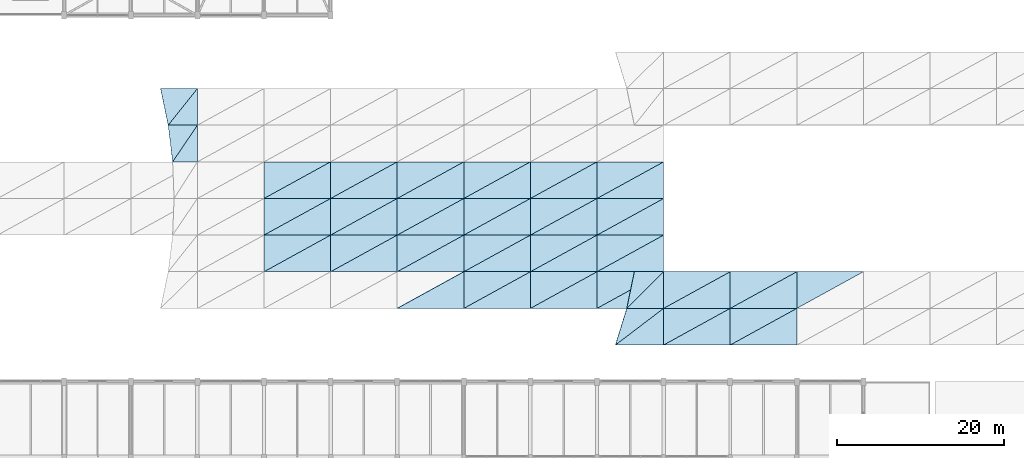
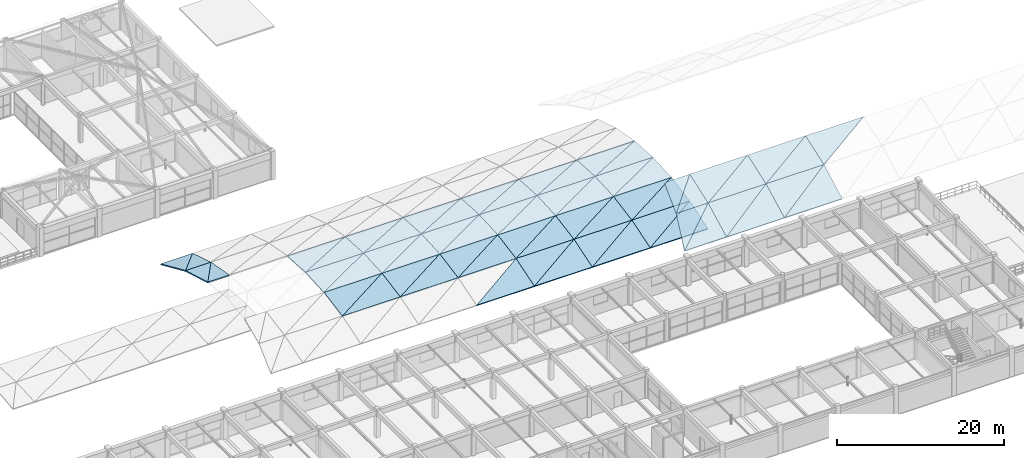
# One storey, part 50 of 63: 60 roofs.
"""IFC4 building model written with IfcOpenShell, lengths in metres."""

from ifc_helpers import new_model, si_unit, direction, frame, origin, place, context, subcontext, project, spatial, polyline, outline, extrude, material, layer, layer_set, type_object, element, save


model = new_model("IFC4")

# Units and contexts
model_context = context("Model", 3, precision=1e-05, world=origin(), true_north=direction((0.0, 1.0)))
body_context = subcontext(model_context, "Body", "Model", "MODEL_VIEW")
ifc_project = project(units=[si_unit("LENGTHUNIT", "METRE"), si_unit("AREAUNIT", "SQUARE_METRE"), si_unit("VOLUMEUNIT", "CUBIC_METRE"), si_unit("PLANEANGLEUNIT", "RADIAN"), si_unit("MASSUNIT", "GRAM", prefix="KILO")], contexts=[model_context])

# Site, building, storey
site_placement = place(None, origin())
site = spatial("IfcSite", under=ifc_project, at=site_placement, CompositionType="ELEMENT")
building_placement = place(site_placement, origin())
building = spatial("IfcBuilding", under=site, at=building_placement, Name="Varnabhumi Central Station", CompositionType="ELEMENT")
storey_placement = place(building_placement, frame((0.0, 0.0, 20.39990234375)))
storey = spatial("IfcBuildingStorey", under=building, at=storey_placement, Name="L04", CompositionType="ELEMENT", Elevation=20.39990234375)

# Roofs
ifc_material = material(Name="Champagne bronze diamond metal panel")
ifc_layer = layer(ifc_material, 0.159912109375, Name="Champagne bronze diamond metal panel")
ifc_layer_set = layer_set([ifc_layer], Name="Champagne bronze diamond metal panel")
roof_type = type_object("IfcRoofType", Name="ROOF-VAULT-BARREL", PredefinedType="BARREL_ROOF", material=ifc_layer_set)
roof_1_placement = place(storey_placement, frame((77.0244140625, 62.39990234375, 2.1123046875), z_axis=(0.0, 0.17878455364, 0.983888247404), x_axis=(1.0, 0.0, 0.0)))
element("IfcRoof", 1, at=roof_1_placement, inside=storey, type_object=roof_type, Name="Departure Concourse Vault Diamond Shell Panel 1-7A", PredefinedType="BARREL_ROOF", context=body_context, shape_type="SweptSolid", body=[
    extrude(outline(polyline([(0.0, 0.0), (2.9755859375, 0.0), (2.9755859375, 4.472201488313862), (0.0, 0.0)])), origin(), (0.0, 0.0, -1.0), 0.159912109375),
])
roof_2_placement = place(storey_placement, frame((77.0244140625, 62.39990234375, 2.1123046875), z_axis=(0.0, 0.17878455364, 0.983888247404), x_axis=(0.553941920403, 0.819141387547, -0.148848029974)))
element("IfcRoof", 2, at=roof_2_placement, inside=storey, type_object=roof_type, Name="Departure Concourse Vault Diamond Shell Panel 1-7B", PredefinedType="BARREL_ROOF", context=body_context, shape_type="SweptSolid", body=[
    extrude(outline(polyline([(0.0, 0.0), (5.371656897412983, 1.5265566588595902e-16), (3.4281267855686783, 2.921057714796014), (0.0, 0.0)])), origin(), (0.0, 0.0, -1.0), 0.159912109375),
])
roof_3_placement = place(storey_placement, frame((76.491455078125, 66.800048828125, 1.31787109375), z_axis=(0.0, 0.297557021259, 0.954704047912), x_axis=(1.0, 0.0, 0.0)))
element("IfcRoof", 3, at=roof_3_placement, inside=storey, type_object=roof_type, Name="Departure Concourse Vault Diamond Shell Panel 1-8A", PredefinedType="BARREL_ROOF", context=body_context, shape_type="SweptSolid", body=[
    extrude(outline(polyline([(0.0, 0.0), (3.508544921875, 0.0), (3.508544921875, 4.608655795869395), (0.0, 0.0)])), origin(), (0.0, 0.0, -1.0), 0.159912109375),
])
roof_4_placement = place(storey_placement, frame((76.491455078125, 66.800048828125, 1.31787109375), z_axis=(0.0, 0.297557021259, 0.954704047912), x_axis=(0.605736014666, 0.759625249204, -0.236755910819)))
element("IfcRoof", 4, at=roof_4_placement, inside=storey, type_object=roof_type, Name="Departure Concourse Vault Diamond Shell Panel 1-8B", PredefinedType="BARREL_ROOF", context=body_context, shape_type="SweptSolid", body=[
    extrude(outline(polyline([(0.0, 0.0), (5.792201283934754, -2.220446049250313e-16), (3.1132686897750994, 3.518916958948145), (0.0, 0.0)])), origin(), (0.0, 0.0, -1.0), 0.159912109375),
])
roof_5_placement = place(storey_placement, frame((88.0, 49.199951171875, 1.312744140625), z_axis=(0.0, -0.17878455364, 0.983888247404), x_axis=(1.0, 0.0, 0.0)))
element("IfcRoof", 5, at=roof_5_placement, inside=storey, type_object=roof_type, Name="Departure Concourse Vault Diamond Shell Panel 3-4A", PredefinedType="BARREL_ROOF", context=body_context, shape_type="SweptSolid", body=[
    extrude(outline(polyline([(0.0, 0.0), (8.0, 0.0), (8.0, 4.472201488313862), (0.0, 0.0)])), origin(), (0.0, 0.0, -1.0), 0.159912109375),
])
roof_6_placement = place(storey_placement, frame((88.0, 49.199951171875, 1.312744140625), z_axis=(0.0, -0.17878455364, 0.983888247404), x_axis=(0.872868515511, 0.480093666231, 0.087238903451)))
element("IfcRoof", 6, at=roof_6_placement, inside=storey, type_object=roof_type, Name="Departure Concourse Vault Diamond Shell Panel 3-4B", PredefinedType="BARREL_ROOF", context=body_context, shape_type="SweptSolid", body=[
    extrude(outline(polyline([(0.0, 0.0), (9.165183367073281, -1.3877787807814457e-17), (2.1822352429882166, 3.9036438741689645), (0.0, 0.0)])), origin(), (0.0, 0.0, -1.0), 0.159912109375),
])
roof_7_placement = place(storey_placement, frame((88.0, 53.60009765625, 2.110107421875), z_axis=(0.0, -0.059709058743, 0.998215822507), x_axis=(1.0, 0.0, 0.0)))
element("IfcRoof", 7, at=roof_7_placement, inside=storey, type_object=roof_type, Name="Departure Concourse Vault Diamond Shell Panel 3-5A", PredefinedType="BARREL_ROOF", context=body_context, shape_type="SweptSolid", body=[
    extrude(outline(polyline([(0.0, 0.0), (8.0, 0.0), (8.0, 4.407766581677835), (0.0, 0.0)])), origin(), (0.0, 0.0, -1.0), 0.159912109375),
])
roof_8_placement = place(storey_placement, frame((88.0, 53.60009765625, 2.110107421875), z_axis=(0.0, -0.059709058743, 0.998215822507), x_axis=(0.875856613032, 0.481710445558, 0.028813886378)))
element("IfcRoof", 8, at=roof_8_placement, inside=storey, type_object=roof_type, Name="Departure Concourse Vault Diamond Shell Panel 3-5B", PredefinedType="BARREL_ROOF", context=body_context, shape_type="SweptSolid", body=[
    extrude(outline(polyline([(0.0, 0.0), (9.133915164843383, -1.231653667943533e-16), (2.127062260588562, 3.8605715092633357), (0.0, 0.0)])), origin(), (0.0, 0.0, -1.0), 0.159912109375),
])
roof_9_placement = place(storey_placement, frame((88.0, 58.0, 2.373291015625), z_axis=(0.0, 0.059709058743, 0.998215822507), x_axis=(1.0, 0.0, 0.0)))
element("IfcRoof", 9, at=roof_9_placement, inside=storey, type_object=roof_type, Name="Departure Concourse Vault Diamond Shell Panel 3-6A", PredefinedType="BARREL_ROOF", context=body_context, shape_type="SweptSolid", body=[
    extrude(outline(polyline([(0.0, 0.0), (8.0, 0.0), (8.0, 4.407766581677835), (0.0, 0.0)])), origin(), (0.0, 0.0, -1.0), 0.159912109375),
])
roof_10_placement = place(storey_placement, frame((88.0, 58.0, 2.373291015625), z_axis=(0.0, 0.059709058743, 0.998215822507), x_axis=(0.875856613032, 0.481710445558, -0.028813886378)))
element("IfcRoof", 10, at=roof_10_placement, inside=storey, type_object=roof_type, Name="Departure Concourse Vault Diamond Shell Panel 3-6B", PredefinedType="BARREL_ROOF", context=body_context, shape_type="SweptSolid", body=[
    extrude(outline(polyline([(0.0, 0.0), (9.133915164843383, -1.231653667943533e-16), (2.127062260588562, 3.8605715092633357), (0.0, 0.0)])), origin(), (0.0, 0.0, -1.0), 0.159912109375),
])
roof_11_placement = place(storey_placement, frame((96.0, 49.199951171875, 1.312744140625), z_axis=(0.0, -0.17878455364, 0.983888247404), x_axis=(1.0, 0.0, 0.0)))
element("IfcRoof", 11, at=roof_11_placement, inside=storey, type_object=roof_type, Name="Departure Concourse Vault Diamond Shell Panel 4-4A", PredefinedType="BARREL_ROOF", context=body_context, shape_type="SweptSolid", body=[
    extrude(outline(polyline([(0.0, 0.0), (8.0, 0.0), (8.0, 4.472201488313862), (0.0, 0.0)])), origin(), (0.0, 0.0, -1.0), 0.159912109375),
])
roof_12_placement = place(storey_placement, frame((96.0, 49.199951171875, 1.312744140625), z_axis=(0.0, -0.17878455364, 0.983888247404), x_axis=(0.872868515511, 0.480093666231, 0.087238903451)))
element("IfcRoof", 12, at=roof_12_placement, inside=storey, type_object=roof_type, Name="Departure Concourse Vault Diamond Shell Panel 4-4B", PredefinedType="BARREL_ROOF", context=body_context, shape_type="SweptSolid", body=[
    extrude(outline(polyline([(0.0, 0.0), (9.165183367073281, -1.3877787807814457e-17), (2.1822352429882166, 3.9036438741689645), (0.0, 0.0)])), origin(), (0.0, 0.0, -1.0), 0.159912109375),
])
roof_13_placement = place(storey_placement, frame((96.0, 53.60009765625, 2.110107421875), z_axis=(0.0, -0.059709058743, 0.998215822507), x_axis=(1.0, 0.0, 0.0)))
element("IfcRoof", 13, at=roof_13_placement, inside=storey, type_object=roof_type, Name="Departure Concourse Vault Diamond Shell Panel 4-5A", PredefinedType="BARREL_ROOF", context=body_context, shape_type="SweptSolid", body=[
    extrude(outline(polyline([(0.0, 0.0), (8.0, 0.0), (8.0, 4.407766581677835), (0.0, 0.0)])), origin(), (0.0, 0.0, -1.0), 0.159912109375),
])
roof_14_placement = place(storey_placement, frame((96.0, 53.60009765625, 2.110107421875), z_axis=(0.0, -0.059709058743, 0.998215822507), x_axis=(0.875856613032, 0.481710445558, 0.028813886378)))
element("IfcRoof", 14, at=roof_14_placement, inside=storey, type_object=roof_type, Name="Departure Concourse Vault Diamond Shell Panel 4-5B", PredefinedType="BARREL_ROOF", context=body_context, shape_type="SweptSolid", body=[
    extrude(outline(polyline([(0.0, 0.0), (9.133915164843383, -1.231653667943533e-16), (2.127062260588562, 3.8605715092633357), (0.0, 0.0)])), origin(), (0.0, 0.0, -1.0), 0.159912109375),
])
roof_15_placement = place(storey_placement, frame((96.0, 58.0, 2.373291015625), z_axis=(0.0, 0.059709058743, 0.998215822507), x_axis=(1.0, 0.0, 0.0)))
element("IfcRoof", 15, at=roof_15_placement, inside=storey, type_object=roof_type, Name="Departure Concourse Vault Diamond Shell Panel 4-6A", PredefinedType="BARREL_ROOF", context=body_context, shape_type="SweptSolid", body=[
    extrude(outline(polyline([(0.0, 0.0), (8.0, 0.0), (8.0, 4.407766581677835), (0.0, 0.0)])), origin(), (0.0, 0.0, -1.0), 0.159912109375),
])
roof_16_placement = place(storey_placement, frame((96.0, 58.0, 2.373291015625), z_axis=(0.0, 0.059709058743, 0.998215822507), x_axis=(0.875856613032, 0.481710445558, -0.028813886378)))
element("IfcRoof", 16, at=roof_16_placement, inside=storey, type_object=roof_type, Name="Departure Concourse Vault Diamond Shell Panel 4-6B", PredefinedType="BARREL_ROOF", context=body_context, shape_type="SweptSolid", body=[
    extrude(outline(polyline([(0.0, 0.0), (9.133915164843383, -1.231653667943533e-16), (2.127062260588562, 3.8605715092633357), (0.0, 0.0)])), origin(), (0.0, 0.0, -1.0), 0.159912109375),
])
roof_17_placement = place(storey_placement, frame((104.0, 44.800048828125, -0.053466796875), z_axis=(0.0, -0.297557021259, 0.954704047912), x_axis=(1.0, 0.0, 0.0)))
element("IfcRoof", 17, at=roof_17_placement, inside=storey, type_object=roof_type, Name="Departure Concourse Vault Diamond Shell Panel 5-3A", PredefinedType="BARREL_ROOF", context=body_context, shape_type="SweptSolid", body=[
    extrude(outline(polyline([(0.0, 0.0), (8.0, 0.0), (8.0, 4.608655795869395), (0.0, 0.0)])), origin(), (0.0, 0.0, -1.0), 0.159912109375),
])
roof_18_placement = place(storey_placement, frame((104.0, 49.199951171875, 1.312744140625), z_axis=(0.0, -0.17878455364, 0.983888247404), x_axis=(1.0, 0.0, 0.0)))
element("IfcRoof", 18, at=roof_18_placement, inside=storey, type_object=roof_type, Name="Departure Concourse Vault Diamond Shell Panel 5-4A", PredefinedType="BARREL_ROOF", context=body_context, shape_type="SweptSolid", body=[
    extrude(outline(polyline([(0.0, 0.0), (8.0, 0.0), (8.0, 4.472201488313862), (0.0, 0.0)])), origin(), (0.0, 0.0, -1.0), 0.159912109375),
])
roof_19_placement = place(storey_placement, frame((104.0, 49.199951171875, 1.312744140625), z_axis=(0.0, -0.17878455364, 0.983888247404), x_axis=(0.872868515511, 0.480093666231, 0.087238903451)))
element("IfcRoof", 19, at=roof_19_placement, inside=storey, type_object=roof_type, Name="Departure Concourse Vault Diamond Shell Panel 5-4B", PredefinedType="BARREL_ROOF", context=body_context, shape_type="SweptSolid", body=[
    extrude(outline(polyline([(0.0, 0.0), (9.165183367073281, -1.3877787807814457e-17), (2.1822352429882166, 3.9036438741689645), (0.0, 0.0)])), origin(), (0.0, 0.0, -1.0), 0.159912109375),
])
roof_20_placement = place(storey_placement, frame((104.0, 53.60009765625, 2.110107421875), z_axis=(0.0, -0.059709058743, 0.998215822507), x_axis=(1.0, 0.0, 0.0)))
element("IfcRoof", 20, at=roof_20_placement, inside=storey, type_object=roof_type, Name="Departure Concourse Vault Diamond Shell Panel 5-5A", PredefinedType="BARREL_ROOF", context=body_context, shape_type="SweptSolid", body=[
    extrude(outline(polyline([(0.0, 0.0), (8.0, 0.0), (8.0, 4.407766581677835), (0.0, 0.0)])), origin(), (0.0, 0.0, -1.0), 0.159912109375),
])
roof_21_placement = place(storey_placement, frame((104.0, 53.60009765625, 2.110107421875), z_axis=(0.0, -0.059709058743, 0.998215822507), x_axis=(0.875856613032, 0.481710445558, 0.028813886378)))
element("IfcRoof", 21, at=roof_21_placement, inside=storey, type_object=roof_type, Name="Departure Concourse Vault Diamond Shell Panel 5-5B", PredefinedType="BARREL_ROOF", context=body_context, shape_type="SweptSolid", body=[
    extrude(outline(polyline([(0.0, 0.0), (9.133915164843383, -1.231653667943533e-16), (2.127062260588562, 3.8605715092633357), (0.0, 0.0)])), origin(), (0.0, 0.0, -1.0), 0.159912109375),
])
roof_22_placement = place(storey_placement, frame((104.0, 58.0, 2.373291015625), z_axis=(0.0, 0.059709058743, 0.998215822507), x_axis=(1.0, 0.0, 0.0)))
element("IfcRoof", 22, at=roof_22_placement, inside=storey, type_object=roof_type, Name="Departure Concourse Vault Diamond Shell Panel 5-6A", PredefinedType="BARREL_ROOF", context=body_context, shape_type="SweptSolid", body=[
    extrude(outline(polyline([(0.0, 0.0), (8.0, 0.0), (8.0, 4.407766581677835), (0.0, 0.0)])), origin(), (0.0, 0.0, -1.0), 0.159912109375),
])
roof_23_placement = place(storey_placement, frame((104.0, 58.0, 2.373291015625), z_axis=(0.0, 0.059709058743, 0.998215822507), x_axis=(0.875856613032, 0.481710445558, -0.028813886378)))
element("IfcRoof", 23, at=roof_23_placement, inside=storey, type_object=roof_type, Name="Departure Concourse Vault Diamond Shell Panel 5-6B", PredefinedType="BARREL_ROOF", context=body_context, shape_type="SweptSolid", body=[
    extrude(outline(polyline([(0.0, 0.0), (9.133915164843383, -1.231653667943533e-16), (2.127062260588562, 3.8605715092633357), (0.0, 0.0)])), origin(), (0.0, 0.0, -1.0), 0.159912109375),
])
roof_24_placement = place(storey_placement, frame((112.0, 44.800048828125, -0.053466796875), z_axis=(0.0, -0.297557021259, 0.954704047912), x_axis=(1.0, 0.0, 0.0)))
element("IfcRoof", 24, at=roof_24_placement, inside=storey, type_object=roof_type, Name="Departure Concourse Vault Diamond Shell Panel 6-3A", PredefinedType="BARREL_ROOF", context=body_context, shape_type="SweptSolid", body=[
    extrude(outline(polyline([(0.0, 0.0), (8.0, 0.0), (8.0, 4.608655795869395), (0.0, 0.0)])), origin(), (0.0, 0.0, -1.0), 0.159912109375),
])
roof_25_placement = place(storey_placement, frame((112.0, 44.800048828125, -0.053466796875), z_axis=(0.0, -0.297557021259, 0.954704047912), x_axis=(0.866500883197, 0.476564908355, 0.148533186674)))
element("IfcRoof", 25, at=roof_25_placement, inside=storey, type_object=roof_type, Name="Departure Concourse Vault Diamond Shell Panel 6-3B", PredefinedType="BARREL_ROOF", context=body_context, shape_type="SweptSolid", body=[
    extrude(outline(polyline([(0.0, 0.0), (9.23253530969693, 1.1102230246251565e-16), (2.300528244120822, 3.993404317471865), (0.0, 0.0)])), origin(), (0.0, 0.0, -1.0), 0.159912109375),
])
roof_26_placement = place(storey_placement, frame((112.0, 49.199951171875, 1.312744140625), z_axis=(0.0, -0.17878455364, 0.983888247404), x_axis=(1.0, 0.0, 0.0)))
element("IfcRoof", 26, at=roof_26_placement, inside=storey, type_object=roof_type, Name="Departure Concourse Vault Diamond Shell Panel 6-4A", PredefinedType="BARREL_ROOF", context=body_context, shape_type="SweptSolid", body=[
    extrude(outline(polyline([(0.0, 0.0), (8.0, 0.0), (8.0, 4.472201488313862), (0.0, 0.0)])), origin(), (0.0, 0.0, -1.0), 0.159912109375),
])
roof_27_placement = place(storey_placement, frame((112.0, 49.199951171875, 1.312744140625), z_axis=(0.0, -0.17878455364, 0.983888247404), x_axis=(0.872868515511, 0.480093666231, 0.087238903451)))
element("IfcRoof", 27, at=roof_27_placement, inside=storey, type_object=roof_type, Name="Departure Concourse Vault Diamond Shell Panel 6-4B", PredefinedType="BARREL_ROOF", context=body_context, shape_type="SweptSolid", body=[
    extrude(outline(polyline([(0.0, 0.0), (9.165183367073281, -1.3877787807814457e-17), (2.1822352429882166, 3.9036438741689645), (0.0, 0.0)])), origin(), (0.0, 0.0, -1.0), 0.159912109375),
])
roof_28_placement = place(storey_placement, frame((112.0, 53.60009765625, 2.110107421875), z_axis=(0.0, -0.059709058743, 0.998215822507), x_axis=(1.0, 0.0, 0.0)))
element("IfcRoof", 28, at=roof_28_placement, inside=storey, type_object=roof_type, Name="Departure Concourse Vault Diamond Shell Panel 6-5A", PredefinedType="BARREL_ROOF", context=body_context, shape_type="SweptSolid", body=[
    extrude(outline(polyline([(0.0, 0.0), (8.0, 0.0), (8.0, 4.407766581677835), (0.0, 0.0)])), origin(), (0.0, 0.0, -1.0), 0.159912109375),
])
roof_29_placement = place(storey_placement, frame((112.0, 53.60009765625, 2.110107421875), z_axis=(0.0, -0.059709058743, 0.998215822507), x_axis=(0.875856613032, 0.481710445558, 0.028813886378)))
element("IfcRoof", 29, at=roof_29_placement, inside=storey, type_object=roof_type, Name="Departure Concourse Vault Diamond Shell Panel 6-5B", PredefinedType="BARREL_ROOF", context=body_context, shape_type="SweptSolid", body=[
    extrude(outline(polyline([(0.0, 0.0), (9.133915164843383, -1.231653667943533e-16), (2.127062260588562, 3.8605715092633357), (0.0, 0.0)])), origin(), (0.0, 0.0, -1.0), 0.159912109375),
])
roof_30_placement = place(storey_placement, frame((112.0, 58.0, 2.373291015625), z_axis=(0.0, 0.059709058743, 0.998215822507), x_axis=(1.0, 0.0, 0.0)))
element("IfcRoof", 30, at=roof_30_placement, inside=storey, type_object=roof_type, Name="Departure Concourse Vault Diamond Shell Panel 6-6A", PredefinedType="BARREL_ROOF", context=body_context, shape_type="SweptSolid", body=[
    extrude(outline(polyline([(0.0, 0.0), (8.0, 0.0), (8.0, 4.407766581677835), (0.0, 0.0)])), origin(), (0.0, 0.0, -1.0), 0.159912109375),
])
roof_31_placement = place(storey_placement, frame((112.0, 58.0, 2.373291015625), z_axis=(0.0, 0.059709058743, 0.998215822507), x_axis=(0.875856613032, 0.481710445558, -0.028813886378)))
element("IfcRoof", 31, at=roof_31_placement, inside=storey, type_object=roof_type, Name="Departure Concourse Vault Diamond Shell Panel 6-6B", PredefinedType="BARREL_ROOF", context=body_context, shape_type="SweptSolid", body=[
    extrude(outline(polyline([(0.0, 0.0), (9.133915164843383, -1.231653667943533e-16), (2.127062260588562, 3.8605715092633357), (0.0, 0.0)])), origin(), (0.0, 0.0, -1.0), 0.159912109375),
])
roof_32_placement = place(storey_placement, frame((120.0, 44.800048828125, -0.053466796875), z_axis=(0.0, -0.297557021259, 0.954704047912), x_axis=(1.0, 0.0, 0.0)))
element("IfcRoof", 32, at=roof_32_placement, inside=storey, type_object=roof_type, Name="Departure Concourse Vault Diamond Shell Panel 7-3A", PredefinedType="BARREL_ROOF", context=body_context, shape_type="SweptSolid", body=[
    extrude(outline(polyline([(0.0, 0.0), (8.0, 0.0), (8.0, 4.608655795869395), (0.0, 0.0)])), origin(), (0.0, 0.0, -1.0), 0.159912109375),
])
roof_33_placement = place(storey_placement, frame((120.0, 44.800048828125, -0.053466796875), z_axis=(0.0, -0.297557021259, 0.954704047912), x_axis=(0.866500883197, 0.476564908355, 0.148533186674)))
element("IfcRoof", 33, at=roof_33_placement, inside=storey, type_object=roof_type, Name="Departure Concourse Vault Diamond Shell Panel 7-3B", PredefinedType="BARREL_ROOF", context=body_context, shape_type="SweptSolid", body=[
    extrude(outline(polyline([(0.0, 0.0), (9.23253530969693, 1.1102230246251565e-16), (2.300528244120822, 3.993404317471865), (0.0, 0.0)])), origin(), (0.0, 0.0, -1.0), 0.159912109375),
])
roof_34_placement = place(storey_placement, frame((120.0, 49.199951171875, 1.312744140625), z_axis=(0.0, -0.17878455364, 0.983888247404), x_axis=(1.0, 0.0, 0.0)))
element("IfcRoof", 34, at=roof_34_placement, inside=storey, type_object=roof_type, Name="Departure Concourse Vault Diamond Shell Panel 7-4A", PredefinedType="BARREL_ROOF", context=body_context, shape_type="SweptSolid", body=[
    extrude(outline(polyline([(0.0, 0.0), (8.0, 0.0), (8.0, 4.472201488313862), (0.0, 0.0)])), origin(), (0.0, 0.0, -1.0), 0.159912109375),
])
roof_35_placement = place(storey_placement, frame((120.0, 49.199951171875, 1.312744140625), z_axis=(0.0, -0.17878455364, 0.983888247404), x_axis=(0.872868515511, 0.480093666231, 0.087238903451)))
element("IfcRoof", 35, at=roof_35_placement, inside=storey, type_object=roof_type, Name="Departure Concourse Vault Diamond Shell Panel 7-4B", PredefinedType="BARREL_ROOF", context=body_context, shape_type="SweptSolid", body=[
    extrude(outline(polyline([(0.0, 0.0), (9.165183367073281, -1.3877787807814457e-17), (2.1822352429882166, 3.9036438741689645), (0.0, 0.0)])), origin(), (0.0, 0.0, -1.0), 0.159912109375),
])
roof_36_placement = place(storey_placement, frame((120.0, 53.60009765625, 2.110107421875), z_axis=(0.0, -0.059709058743, 0.998215822507), x_axis=(1.0, 0.0, 0.0)))
element("IfcRoof", 36, at=roof_36_placement, inside=storey, type_object=roof_type, Name="Departure Concourse Vault Diamond Shell Panel 7-5A", PredefinedType="BARREL_ROOF", context=body_context, shape_type="SweptSolid", body=[
    extrude(outline(polyline([(0.0, 0.0), (8.0, 0.0), (8.0, 4.407766581677835), (0.0, 0.0)])), origin(), (0.0, 0.0, -1.0), 0.159912109375),
])
roof_37_placement = place(storey_placement, frame((120.0, 53.60009765625, 2.110107421875), z_axis=(0.0, -0.059709058743, 0.998215822507), x_axis=(0.875856613032, 0.481710445558, 0.028813886378)))
element("IfcRoof", 37, at=roof_37_placement, inside=storey, type_object=roof_type, Name="Departure Concourse Vault Diamond Shell Panel 7-5B", PredefinedType="BARREL_ROOF", context=body_context, shape_type="SweptSolid", body=[
    extrude(outline(polyline([(0.0, 0.0), (9.133915164843383, -1.231653667943533e-16), (2.127062260588562, 3.8605715092633357), (0.0, 0.0)])), origin(), (0.0, 0.0, -1.0), 0.159912109375),
])
roof_38_placement = place(storey_placement, frame((120.0, 58.0, 2.373291015625), z_axis=(0.0, 0.059709058743, 0.998215822507), x_axis=(1.0, 0.0, 0.0)))
element("IfcRoof", 38, at=roof_38_placement, inside=storey, type_object=roof_type, Name="Departure Concourse Vault Diamond Shell Panel 7-6A", PredefinedType="BARREL_ROOF", context=body_context, shape_type="SweptSolid", body=[
    extrude(outline(polyline([(0.0, 0.0), (8.0, 0.0), (8.0, 4.407766581677835), (0.0, 0.0)])), origin(), (0.0, 0.0, -1.0), 0.159912109375),
])
roof_39_placement = place(storey_placement, frame((120.0, 58.0, 2.373291015625), z_axis=(0.0, 0.059709058743, 0.998215822507), x_axis=(0.875856613032, 0.481710445558, -0.028813886378)))
element("IfcRoof", 39, at=roof_39_placement, inside=storey, type_object=roof_type, Name="Departure Concourse Vault Diamond Shell Panel 7-6B", PredefinedType="BARREL_ROOF", context=body_context, shape_type="SweptSolid", body=[
    extrude(outline(polyline([(0.0, 0.0), (9.133915164843383, -1.231653667943533e-16), (2.127062260588562, 3.8605715092633357), (0.0, 0.0)])), origin(), (0.0, 0.0, -1.0), 0.159912109375),
])
roof_40_placement = place(storey_placement, frame((128.0, 44.800048828125, -0.053466796875), z_axis=(0.0, -0.297557021259, 0.954704047912), x_axis=(1.0, 0.0, 0.0)))
element("IfcRoof", 40, at=roof_40_placement, inside=storey, type_object=roof_type, Name="Departure Concourse Vault Diamond Shell Panel 8-3A", PredefinedType="BARREL_ROOF", context=body_context, shape_type="SweptSolid", body=[
    extrude(outline(polyline([(0.0, 0.0), (8.0, 0.0), (8.0, 4.608655795869395), (0.0, 0.0)])), origin(), (0.0, 0.0, -1.0), 0.159912109375),
])
roof_41_placement = place(storey_placement, frame((128.0, 44.800048828125, -0.053466796875), z_axis=(0.0, -0.297557021259, 0.954704047912), x_axis=(0.866500883197, 0.476564908355, 0.148533186674)))
element("IfcRoof", 41, at=roof_41_placement, inside=storey, type_object=roof_type, Name="Departure Concourse Vault Diamond Shell Panel 8-3B", PredefinedType="BARREL_ROOF", context=body_context, shape_type="SweptSolid", body=[
    extrude(outline(polyline([(0.0, 0.0), (9.23253530969693, 1.1102230246251565e-16), (2.300528244120822, 3.993404317471865), (0.0, 0.0)])), origin(), (0.0, 0.0, -1.0), 0.159912109375),
])
roof_42_placement = place(storey_placement, frame((128.0, 49.199951171875, 1.312744140625), z_axis=(0.0, -0.17878455364, 0.983888247404), x_axis=(1.0, 0.0, 0.0)))
element("IfcRoof", 42, at=roof_42_placement, inside=storey, type_object=roof_type, Name="Departure Concourse Vault Diamond Shell Panel 8-4A", PredefinedType="BARREL_ROOF", context=body_context, shape_type="SweptSolid", body=[
    extrude(outline(polyline([(0.0, 0.0), (8.0, 0.0), (8.0, 4.472201488313862), (0.0, 0.0)])), origin(), (0.0, 0.0, -1.0), 0.159912109375),
])
roof_43_placement = place(storey_placement, frame((128.0, 49.199951171875, 1.312744140625), z_axis=(0.0, -0.17878455364, 0.983888247404), x_axis=(0.872868515511, 0.480093666231, 0.087238903451)))
element("IfcRoof", 43, at=roof_43_placement, inside=storey, type_object=roof_type, Name="Departure Concourse Vault Diamond Shell Panel 8-4B", PredefinedType="BARREL_ROOF", context=body_context, shape_type="SweptSolid", body=[
    extrude(outline(polyline([(0.0, 0.0), (9.165183367073281, -1.3877787807814457e-17), (2.1822352429882166, 3.9036438741689645), (0.0, 0.0)])), origin(), (0.0, 0.0, -1.0), 0.159912109375),
])
roof_44_placement = place(storey_placement, frame((128.0, 53.60009765625, 2.110107421875), z_axis=(0.0, -0.059709058743, 0.998215822507), x_axis=(1.0, 0.0, 0.0)))
element("IfcRoof", 44, at=roof_44_placement, inside=storey, type_object=roof_type, Name="Departure Concourse Vault Diamond Shell Panel 8-5A", PredefinedType="BARREL_ROOF", context=body_context, shape_type="SweptSolid", body=[
    extrude(outline(polyline([(0.0, 0.0), (8.0, 0.0), (8.0, 4.407766581677835), (0.0, 0.0)])), origin(), (0.0, 0.0, -1.0), 0.159912109375),
])
roof_45_placement = place(storey_placement, frame((128.0, 53.60009765625, 2.110107421875), z_axis=(0.0, -0.059709058743, 0.998215822507), x_axis=(0.875856613032, 0.481710445558, 0.028813886378)))
element("IfcRoof", 45, at=roof_45_placement, inside=storey, type_object=roof_type, Name="Departure Concourse Vault Diamond Shell Panel 8-5B", PredefinedType="BARREL_ROOF", context=body_context, shape_type="SweptSolid", body=[
    extrude(outline(polyline([(0.0, 0.0), (9.133915164843383, -1.231653667943533e-16), (2.127062260588562, 3.8605715092633357), (0.0, 0.0)])), origin(), (0.0, 0.0, -1.0), 0.159912109375),
])
roof_46_placement = place(storey_placement, frame((128.0, 58.0, 2.373291015625), z_axis=(0.0, 0.059709058743, 0.998215822507), x_axis=(1.0, 0.0, 0.0)))
element("IfcRoof", 46, at=roof_46_placement, inside=storey, type_object=roof_type, Name="Departure Concourse Vault Diamond Shell Panel 8-6A", PredefinedType="BARREL_ROOF", context=body_context, shape_type="SweptSolid", body=[
    extrude(outline(polyline([(0.0, 0.0), (8.0, 0.0), (8.0, 4.407766581677835), (0.0, 0.0)])), origin(), (0.0, 0.0, -1.0), 0.159912109375),
])
roof_47_placement = place(storey_placement, frame((128.0, 58.0, 2.373291015625), z_axis=(0.0, 0.059709058743, 0.998215822507), x_axis=(0.875856613032, 0.481710445558, -0.028813886378)))
element("IfcRoof", 47, at=roof_47_placement, inside=storey, type_object=roof_type, Name="Departure Concourse Vault Diamond Shell Panel 8-6B", PredefinedType="BARREL_ROOF", context=body_context, shape_type="SweptSolid", body=[
    extrude(outline(polyline([(0.0, 0.0), (9.133915164843383, -1.231653667943533e-16), (2.127062260588562, 3.8605715092633357), (0.0, 0.0)])), origin(), (0.0, 0.0, -1.0), 0.159912109375),
])
roof_48_placement = place(storey_placement, frame((130.2138671875, 40.39990234375, 1.391357421875), z_axis=(0.0, -0.464407224337, 0.88562177592), x_axis=(1.0, 0.0, 0.0)))
element("IfcRoof", 48, at=roof_48_placement, inside=storey, type_object=roof_type, Name="Platform Train-Shed Vault Diamond Shell Panel 1-2A", PredefinedType="BARREL_ROOF", context=body_context, shape_type="SweptSolid", body=[
    extrude(outline(polyline([(0.0, 0.0), (5.7861328125, 0.0), (5.7861328125, 4.968426256009331), (0.0, 0.0)])), origin(), (0.0, 0.0, -1.0), 0.159912109375),
])
roof_49_placement = place(storey_placement, frame((130.2138671875, 40.39990234375, 1.391357421875), z_axis=(0.0, -0.464407224337, 0.88562177592), x_axis=(0.758680730305, 0.576949485329, 0.302543948612)))
element("IfcRoof", 49, at=roof_49_placement, inside=storey, type_object=roof_type, Name="Platform Train-Shed Vault Diamond Shell Panel 1-2B", PredefinedType="BARREL_ROOF", context=body_context, shape_type="SweptSolid", body=[
    extrude(outline(polyline([(0.0, 0.0), (7.626571469886849, -1.1102230246251565e-16), (4.27122444120469, 2.881163432562901), (0.0, 0.0)])), origin(), (0.0, 0.0, -1.0), 0.159912109375),
])
roof_50_placement = place(storey_placement, frame((131.577392578125, 44.800048828125, 3.6875), z_axis=(0.0, -0.331716436742, 0.943379142018), x_axis=(1.0, 0.0, 0.0)))
element("IfcRoof", 50, at=roof_50_placement, inside=storey, type_object=roof_type, Name="Platform Train-Shed Vault Diamond Shell Panel 1-3A", PredefinedType="BARREL_ROOF", context=body_context, shape_type="SweptSolid", body=[
    extrude(outline(polyline([(0.0, 0.0), (4.422607421875, 0.0), (4.422607421875, 4.663980946554668), (0.0, 0.0)])), origin(), (0.0, 0.0, -1.0), 0.159912109375),
])
roof_51_placement = place(storey_placement, frame((131.577392578125, 44.800048828125, 3.6875), z_axis=(0.0, -0.331716436742, 0.943379142018), x_axis=(0.688080676996, 0.684548162342, 0.240704788856)))
element("IfcRoof", 51, at=roof_51_placement, inside=storey, type_object=roof_type, Name="Platform Train-Shed Vault Diamond Shell Panel 1-3B", PredefinedType="BARREL_ROOF", context=body_context, shape_type="SweptSolid", body=[
    extrude(outline(polyline([(0.0, 0.0), (6.4274547589110895, 2.7755575615628914e-16), (4.013292793795209, 2.5459201627314787), (0.0, 0.0)])), origin(), (0.0, 0.0, -1.0), 0.159912109375),
])
roof_52_placement = place(storey_placement, frame((136.0, 40.39990234375, 1.391357421875), z_axis=(0.0, -0.464407224337, 0.88562177592), x_axis=(1.0, 0.0, 0.0)))
element("IfcRoof", 52, at=roof_52_placement, inside=storey, type_object=roof_type, Name="Platform Train-Shed Vault Diamond Shell Panel 2-2A", PredefinedType="BARREL_ROOF", context=body_context, shape_type="SweptSolid", body=[
    extrude(outline(polyline([(0.0, 0.0), (8.0, 0.0), (8.0, 4.968426256009331), (0.0, 0.0)])), origin(), (0.0, 0.0, -1.0), 0.159912109375),
])
roof_53_placement = place(storey_placement, frame((136.0, 40.39990234375, 1.391357421875), z_axis=(0.0, -0.464407224337, 0.88562177592), x_axis=(0.849501727798, 0.46724150513, 0.245014673749)))
element("IfcRoof", 53, at=roof_53_placement, inside=storey, type_object=roof_type, Name="Platform Train-Shed Vault Diamond Shell Panel 2-2B", PredefinedType="BARREL_ROOF", context=body_context, shape_type="SweptSolid", body=[
    extrude(outline(polyline([(0.0, 0.0), (9.417285142831924, -5.551115123125783e-16), (2.621271320449755, 4.2206866889157375), (0.0, 0.0)])), origin(), (0.0, 0.0, -1.0), 0.159912109375),
])
roof_54_placement = place(storey_placement, frame((136.0, 44.800048828125, 3.6875), z_axis=(0.0, -0.331716436742, 0.943379142018), x_axis=(1.0, 0.0, 0.0)))
element("IfcRoof", 54, at=roof_54_placement, inside=storey, type_object=roof_type, Name="Platform Train-Shed Vault Diamond Shell Panel 2-3A", PredefinedType="BARREL_ROOF", context=body_context, shape_type="SweptSolid", body=[
    extrude(outline(polyline([(0.0, 0.0), (8.0, 0.0), (8.0, 4.663980946554668), (0.0, 0.0)])), origin(), (0.0, 0.0, -1.0), 0.159912109375),
])
roof_55_placement = place(storey_placement, frame((136.0, 44.800048828125, 3.6875), z_axis=(0.0, -0.331716436742, 0.943379142018), x_axis=(0.863905102688, 0.475137260762, 0.167070515007)))
element("IfcRoof", 55, at=roof_55_placement, inside=storey, type_object=roof_type, Name="Platform Train-Shed Vault Diamond Shell Panel 2-3B", PredefinedType="BARREL_ROOF", context=body_context, shape_type="SweptSolid", body=[
    extrude(outline(polyline([(0.0, 0.0), (9.26027636033747, -5.551115123125783e-17), (2.3490355388305337, 4.029236938569898), (0.0, 0.0)])), origin(), (0.0, 0.0, -1.0), 0.159912109375),
])
roof_56_placement = place(storey_placement, frame((144.0, 40.39990234375, 1.391357421875), z_axis=(0.0, -0.464407224337, 0.88562177592), x_axis=(1.0, 0.0, 0.0)))
element("IfcRoof", 56, at=roof_56_placement, inside=storey, type_object=roof_type, Name="Platform Train-Shed Vault Diamond Shell Panel 3-2A", PredefinedType="BARREL_ROOF", context=body_context, shape_type="SweptSolid", body=[
    extrude(outline(polyline([(0.0, 0.0), (8.0, 0.0), (8.0, 4.968426256009331), (0.0, 0.0)])), origin(), (0.0, 0.0, -1.0), 0.159912109375),
])
roof_57_placement = place(storey_placement, frame((144.0, 40.39990234375, 1.391357421875), z_axis=(0.0, -0.464407224337, 0.88562177592), x_axis=(0.849501727798, 0.46724150513, 0.245014673749)))
element("IfcRoof", 57, at=roof_57_placement, inside=storey, type_object=roof_type, Name="Platform Train-Shed Vault Diamond Shell Panel 3-2B", PredefinedType="BARREL_ROOF", context=body_context, shape_type="SweptSolid", body=[
    extrude(outline(polyline([(0.0, 0.0), (9.417285142831924, -5.551115123125783e-16), (2.621271320449755, 4.2206866889157375), (0.0, 0.0)])), origin(), (0.0, 0.0, -1.0), 0.159912109375),
])
roof_58_placement = place(storey_placement, frame((144.0, 44.800048828125, 3.6875), z_axis=(0.0, -0.331716436742, 0.943379142018), x_axis=(1.0, 0.0, 0.0)))
element("IfcRoof", 58, at=roof_58_placement, inside=storey, type_object=roof_type, Name="Platform Train-Shed Vault Diamond Shell Panel 3-3A", PredefinedType="BARREL_ROOF", context=body_context, shape_type="SweptSolid", body=[
    extrude(outline(polyline([(0.0, 0.0), (8.0, 0.0), (8.0, 4.663980946554668), (0.0, 0.0)])), origin(), (0.0, 0.0, -1.0), 0.159912109375),
])
for number, where, z_axis, x_axis, name in (
    (59, (144.0, 44.800048828125, 3.6875), (0.0, -0.331716436742, 0.943379142018), (0.863905102688, 0.475137260762, 0.167070515007), "Platform Train-Shed Vault Diamond Shell Panel 3-3B"),
    (60, (152.0, 44.800048828125, 3.6875), (0.0, -0.331716436742, 0.943379142018), (0.863905102688, 0.475137260762, 0.167070515007), "Platform Train-Shed Vault Diamond Shell Panel 4-3B"),
):
    element("IfcRoof", number, at=place(storey_placement, frame(where, z_axis=z_axis, x_axis=x_axis)), inside=storey, type_object=roof_type, Name=name, PredefinedType="BARREL_ROOF", context=body_context, shape_type="SweptSolid", body=[
        extrude(outline(polyline([(0.0, 0.0), (9.26027636033747, -5.551115123125783e-17), (2.3490355388305337, 4.029236938569898), (0.0, 0.0)])), origin(), (0.0, 0.0, -1.0), 0.159912109375),
    ])

save(model, "model.ifc")
